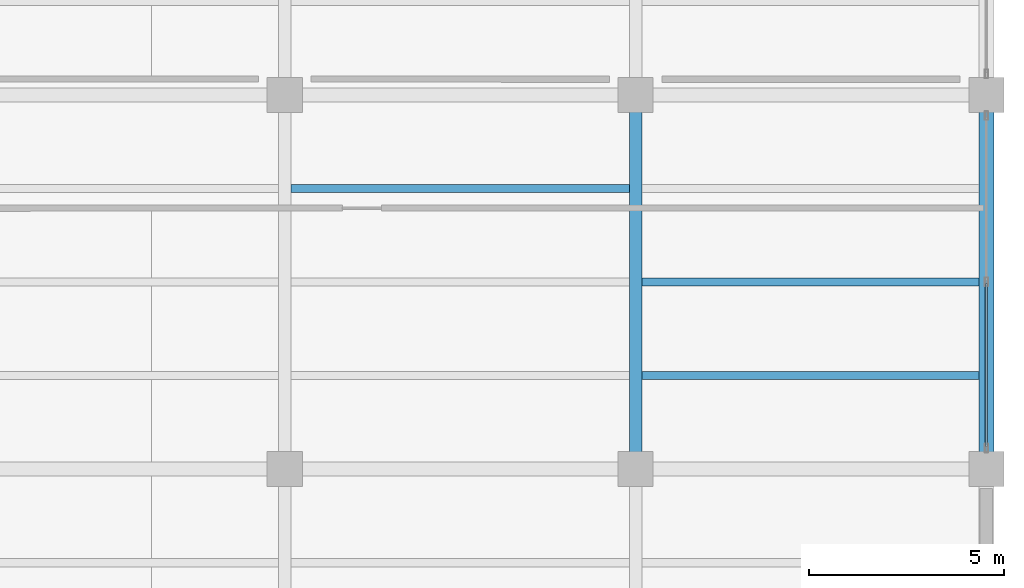
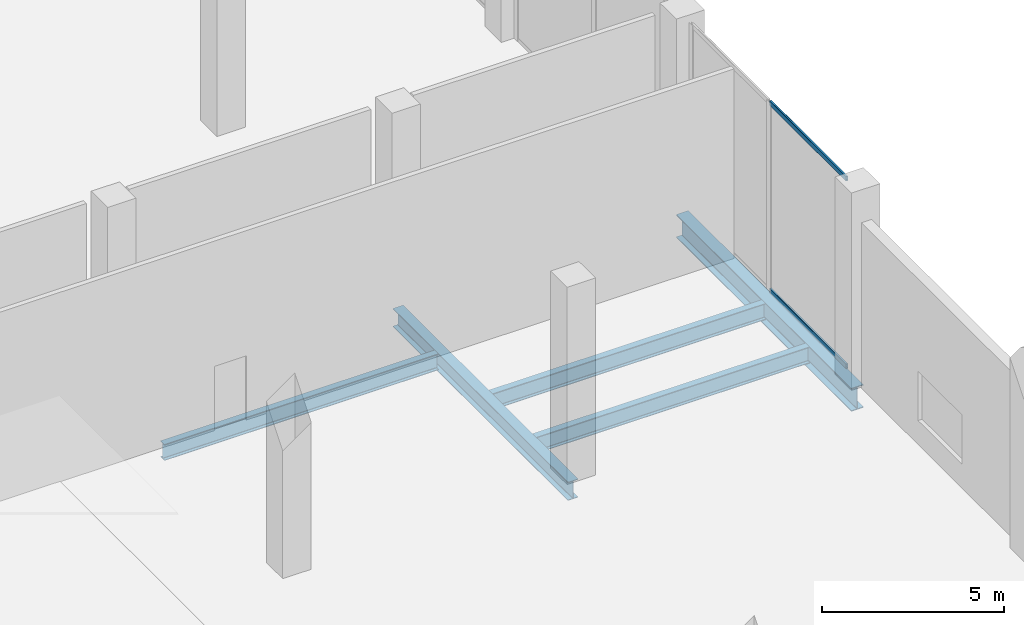
# One storey, part 13 of 45: 5 beams, 2 members, 1 element without a shape of its own.
"""IFC4 building model written with IfcOpenShell, lengths in metres."""

from ifc_helpers import new_model, si_unit, direction, frame, origin, origin_2d, place, context, subcontext, project, spatial, hollow_rectangle, i_section, extrude, material, layer, layer_set, material_profile, profile_set, type_object, element, aggregate, save


model = new_model("IFC4")

# Units and contexts
model_context = context("Model", 3, precision=1e-05, world=origin(), true_north=direction((0.0, 1.0)))
body_context = subcontext(model_context, "Body", "Model", "MODEL_VIEW")
ifc_project = project(units=[si_unit("LENGTHUNIT", "METRE"), si_unit("AREAUNIT", "SQUARE_METRE"), si_unit("VOLUMEUNIT", "CUBIC_METRE"), si_unit("PLANEANGLEUNIT", "RADIAN"), si_unit("MASSUNIT", "GRAM", prefix="KILO")], contexts=[model_context])

# Site, building, storey
site_placement = place(None, origin())
site = spatial("IfcSite", under=ifc_project, at=site_placement, CompositionType="ELEMENT")
building_placement = place(site_placement, origin())
building = spatial("IfcBuilding", under=site, at=building_placement, Name="Qorvath Tower", CompositionType="ELEMENT")
storey_placement = place(building_placement, origin())
storey = spatial("IfcBuildingStorey", under=building, at=storey_placement, Name="L00", CompositionType="ELEMENT", Elevation=0.0)

# Beams
ifc_material_1 = material(Name="Steel ASTM A992 Grade 50", Category="steel")
ifc_material_profile_1 = material_profile(ifc_material_1, i_section(OverallWidth=0.381103515625, OverallDepth=0.77294921875, WebThickness=0.0166015625, FlangeThickness=0.027099609375, FilletRadius=0.01904296875, at=origin_2d()), Name="W30x173")
ifc_profile_set_1 = profile_set([ifc_material_profile_1], Name="Steel ASTM A992 Grade 50")
beam_type_1 = type_object("IfcBeamType", Name="BM-FG3", PredefinedType="BEAM", material=ifc_profile_set_1)
beam_1_placement = place(storey_placement, frame((77.39990234375, -19.199951171875, -0.6865234375), z_axis=(0.0, 1.0, 0.0), x_axis=(-1.0, 0.0, 0.0)))
element("IfcBeam", 1, at=beam_1_placement, inside=storey, type_object=beam_type_1, Name="Library N-S Girder L00-6-3", PredefinedType="BEAM", context=body_context, shape_type="SweptSolid", body=[
    extrude(i_section(OverallWidth=0.381103515625, OverallDepth=0.77294921875, WebThickness=0.0166015625, FlangeThickness=0.027099609375, FilletRadius=0.01904296875, at=origin_2d()), origin(), (0.0, 0.0, 1.0), 9.599853515625),
])
ifc_material_2 = material(Name="Steel ASTM A992 Grade 50", Category="steel")
ifc_material_profile_2 = material_profile(ifc_material_2, i_section(OverallWidth=0.324951171875, OverallDepth=0.615966796875, WebThickness=0.013916015625, FlangeThickness=0.021484375, FilletRadius=0.01611328125, at=origin_2d()), Name="W24x117")
ifc_profile_set_2 = profile_set([ifc_material_profile_2], Name="Steel ASTM A992 Grade 50")
beam_type_2 = type_object("IfcBeamType", Name="BM-FG5", PredefinedType="BEAM", material=ifc_profile_set_2)
beam_2_placement = place(storey_placement, frame((68.39990234375, -19.199951171875, -0.60791015625), z_axis=(0.0, 1.0, 0.0), x_axis=(-1.0, 0.0, 0.0)))
element("IfcBeam", 2, at=beam_2_placement, inside=storey, type_object=beam_type_2, Name="Library N-S Girder L00-5-3", PredefinedType="BEAM", context=body_context, shape_type="SweptSolid", body=[
    extrude(i_section(OverallWidth=0.324951171875, OverallDepth=0.615966796875, WebThickness=0.013916015625, FlangeThickness=0.021484375, FilletRadius=0.01611328125, at=origin_2d()), origin(), (0.0, 0.0, 1.0), 9.599853515625),
])
ifc_material_3 = material(Name="Steel ASTM A992 Grade 50", Category="steel")
ifc_material_profile_3 = material_profile(ifc_material_3, i_section(OverallWidth=0.2119140625, OverallDepth=0.5439453125, WebThickness=0.01318359375, FlangeThickness=0.021240234375, FilletRadius=0.013916015625, at=origin_2d()), Name="W21x83")
ifc_profile_set_3 = profile_set([ifc_material_profile_3], Name="Steel ASTM A992 Grade 50")
beam_type_3 = type_object("IfcBeamType", Name="BM-FJ1", PredefinedType="JOIST", material=ifc_profile_set_3)
for number, where, z_axis, x_axis, name in (
    (3, (68.560546875, -16.800048828125, -0.572021484375), (1.0, 0.0, 0.0), (0.0, 1.0, 0.0), "Library Stack Joist L00-3.1-5"),
    (4, (68.560546875, -14.39990234375, -0.572021484375), (1.0, 0.0, 0.0), (0.0, 1.0, 0.0), "Library Stack Joist L00-3.2-5"),
):
    element("IfcBeam", number, at=place(storey_placement, frame(where, z_axis=z_axis, x_axis=x_axis)), inside=storey, type_object=beam_type_3, Name=name, PredefinedType="JOIST", context=body_context, shape_type="SweptSolid", body=[
        extrude(i_section(OverallWidth=0.2119140625, OverallDepth=0.5439453125, WebThickness=0.01318359375, FlangeThickness=0.021240234375, FilletRadius=0.013916015625, at=origin_2d()), origin(), (0.0, 0.0, 1.0), 8.65087890625),
    ])
beam_3_placement = place(storey_placement, frame((59.560546875, -12.0, -0.572021484375), z_axis=(1.0, 0.0, 0.0), x_axis=(0.0, 1.0, 0.0)))
element("IfcBeam", 5, at=beam_3_placement, inside=storey, type_object=beam_type_3, Name="Library Stack Joist L00-3.3-4", PredefinedType="JOIST", context=body_context, shape_type="SweptSolid", body=[
    extrude(i_section(OverallWidth=0.2119140625, OverallDepth=0.5439453125, WebThickness=0.01318359375, FlangeThickness=0.021240234375, FilletRadius=0.013916015625, at=origin_2d()), origin(), (0.0, 0.0, 1.0), 8.678955078125),
])

# Curtain wall, members
ifc_material_4 = material(Name="Anodised aluminium and triple low-E glass", Category="aluminium")
ifc_layer = layer(ifc_material_4, 0.179931640625)
ifc_layer_set = layer_set([ifc_layer], Name="CW-SYS-6")
curtain_wall_type = type_object("IfcCurtainWallType", Name="CW-SYS-6", PredefinedType="NOTDEFINED", material=ifc_layer_set)
curtain_wall_placement = place(storey_placement, origin())
curtain_wall = element("IfcCurtainWall", 6, at=curtain_wall_placement, inside=storey, type_object=curtain_wall_type, Name="Curtain Wall CW-6 CW-LIB-E-L00-3", PredefinedType="NOTDEFINED")
ifc_material_5 = material(Name="Anodised aluminium 6063-T6", Category="aluminium")
ifc_material_profile_4 = material_profile(ifc_material_5, hollow_rectangle(XDim=0.06494140625, YDim=0.159912109375, WallThickness=0.00341796875, InnerFilletRadius=0.00341796875, OuterFilletRadius=0.007080078125, at=origin_2d()), Name="CWT 160x65")
ifc_profile_set_4 = profile_set([ifc_material_profile_4], Name="Anodised aluminium 6063-T6")
member_type = type_object("IfcMemberType", Name="CWT-160", PredefinedType="USERDEFINED", material=ifc_profile_set_4)
member_1_placement = place(storey_placement, frame((77.39990234375, -18.625, 0.032470703125), z_axis=(0.0, 1.0, 0.0), x_axis=(-1.0, 0.0, 0.0)))
member_1 = element("IfcMember", 7, at=member_1_placement, type_object=member_type, Name="CW-6 transom 1.1", ObjectType="TRANSOM", PredefinedType="USERDEFINED", context=body_context, shape_type="SweptSolid", body=[
    extrude(hollow_rectangle(XDim=0.06494140625, YDim=0.159912109375, WallThickness=0.00341796875, InnerFilletRadius=0.00341796875, OuterFilletRadius=0.007080078125, at=origin_2d()), origin(), (0.0, 0.0, 1.0), 4.18505859375),
])
member_2_placement = place(storey_placement, frame((77.39990234375, -18.625, 6.3076171875), z_axis=(0.0, 1.0, 0.0), x_axis=(-1.0, 0.0, 0.0)))
member_2 = element("IfcMember", 8, at=member_2_placement, type_object=member_type, Name="CW-6 transom 1.2", ObjectType="TRANSOM", PredefinedType="USERDEFINED", context=body_context, shape_type="SweptSolid", body=[
    extrude(hollow_rectangle(XDim=0.06494140625, YDim=0.159912109375, WallThickness=0.00341796875, InnerFilletRadius=0.00341796875, OuterFilletRadius=0.007080078125, at=origin_2d()), origin(), (0.0, 0.0, 1.0), 4.18505859375),
])
aggregate(curtain_wall, [member_1, member_2])

save(model, "model.ifc")
